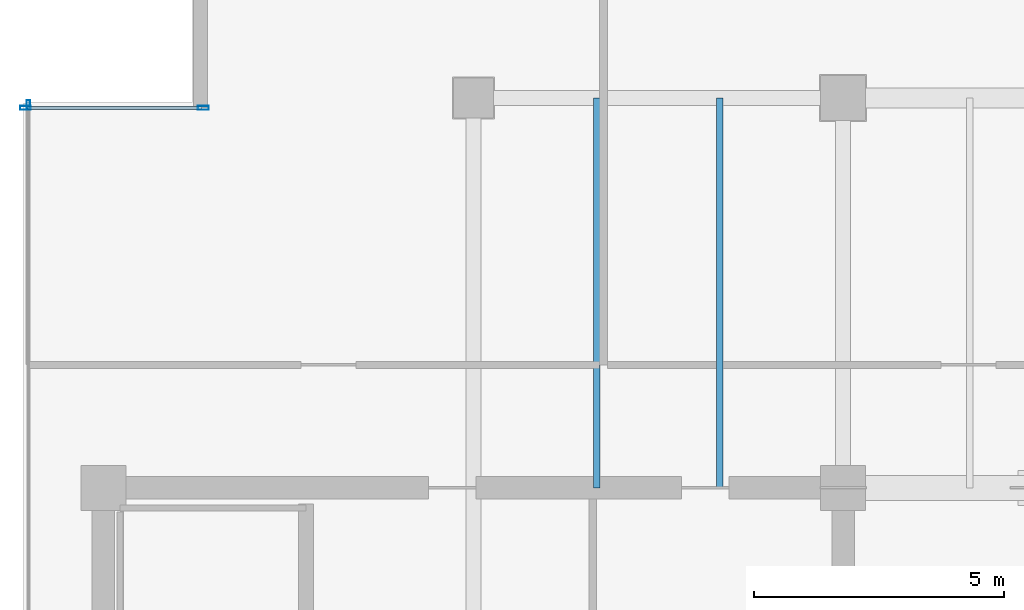
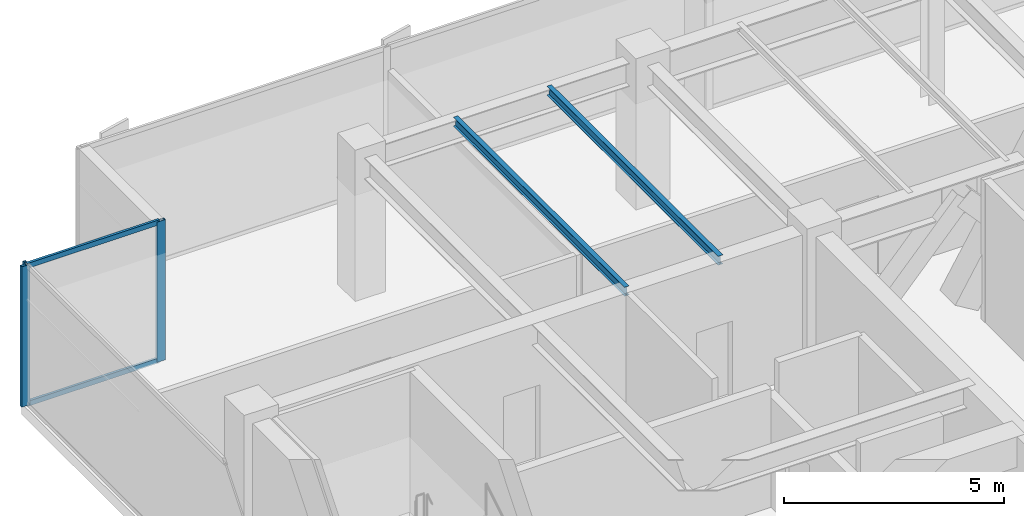
# One storey, part 18 of 32: 5 members, 2 beams, 2 elements without a shape of their own.
"""IFC4 building model written with IfcOpenShell, lengths in metres."""

from ifc_helpers import new_model, si_unit, direction, frame, origin, origin_2d, place, context, subcontext, project, spatial, hollow_rectangle, i_section, extrude, source, transform, mapped, material, layer, layer_set, material_profile, profile_set, type_object, type_shapes, element, aggregate, save


model = new_model("IFC4")

# Units and contexts
model_context = context("Model", 3, precision=1e-05, world=origin(), true_north=direction((0.0, 1.0)))
body_context = subcontext(model_context, "Body", "Model", "MODEL_VIEW")
ifc_project = project(units=[si_unit("LENGTHUNIT", "METRE"), si_unit("AREAUNIT", "SQUARE_METRE"), si_unit("VOLUMEUNIT", "CUBIC_METRE"), si_unit("PLANEANGLEUNIT", "RADIAN"), si_unit("MASSUNIT", "GRAM", prefix="KILO")], contexts=[model_context])

# Site, building, storey
site_placement = place(None, origin())
site = spatial("IfcSite", under=ifc_project, at=site_placement, CompositionType="ELEMENT")
building_placement = place(site_placement, origin())
building = spatial("IfcBuilding", under=site, at=building_placement, Name="Haelvirn Gate Laboratories", CompositionType="ELEMENT")
storey_placement = place(building_placement, frame((0.0, 0.0, 306.0)))
storey = spatial("IfcBuildingStorey", under=building, at=storey_placement, Name="L73", CompositionType="ELEMENT", Elevation=306.0)

# Beams
ifc_material_1 = material(Name="Steel SM355", Category="steel")
ifc_material_profile_1 = material_profile(ifc_material_1, i_section(OverallWidth=0.125, OverallDepth=0.25, WebThickness=0.006103515625, FlangeThickness=0.009033203125, at=origin_2d()), Name="H-250x125x6x9")
ifc_profile_set_1 = profile_set([ifc_material_profile_1], Name="Steel SM355")
beam_type = type_object("IfcBeamType", Name="BM-J-250", PredefinedType="JOIST", material=ifc_profile_set_1)
shared_shape_1 = source(origin(), body_context, "Body", "SweptSolid", [
    extrude(i_section(OverallWidth=0.125, OverallDepth=0.25, WebThickness=0.006103515625, FlangeThickness=0.009033203125, at=origin_2d()), origin(), (0.0, 0.0, 1.0), 7.800048828125),
])
type_shapes(beam_type, [shared_shape_1])
for number, where, z_axis, x_axis, name in (
    (1, (17.27001953125, 33.800048828125, 3.77490234375), (0.0, 1.0, 0.0), (-1.0, 0.0, 0.0), "L73 Composite Lab Joist North X17.27"),
    (2, (19.72998046875, 33.800048828125, 3.77490234375), (0.0, 1.0, 0.0), (-1.0, 0.0, 0.0), "L73 Composite Lab Joist North X19.73"),
):
    element("IfcBeam", number, at=place(storey_placement, frame(where, z_axis=z_axis, x_axis=x_axis)), inside=storey, type_object=beam_type, Name=name, PredefinedType="JOIST", context=body_context, shape_type="MappedRepresentation", body=[
        mapped(shared_shape_1, transform((0.0, 0.0, 0.0), scale=1.0)),
    ])

# Curtain wall, member
ifc_material_2 = material(Name="Anodised bronze unitised aluminium & triple low-E glass", Category="aluminium")
ifc_layer_1 = layer(ifc_material_2, 0.176025390625, Name="CW-SYS-4")
ifc_layer_set_1 = layer_set([ifc_layer_1], Name="Anodised bronze unitised aluminium & triple low-E glass")
curtain_wall_type_1 = type_object("IfcCurtainWallType", Name="CW-SYS-4", PredefinedType="NOTDEFINED", material=ifc_layer_set_1)
curtain_wall_1_placement = place(storey_placement, origin())
curtain_wall_1 = element("IfcCurtainWall", 3, at=curtain_wall_1_placement, inside=storey, type_object=curtain_wall_type_1, Name="L73 Unitised Curtain Wall CW-L73-P0-E17", PredefinedType="NOTDEFINED")
ifc_material_3 = material(Name="Extruded aluminium 6063-T6 (anodised bronze)", Category="aluminium")
ifc_material_profile_2 = material_profile(ifc_material_3, hollow_rectangle(XDim=0.070068359375, YDim=0.179931640625, WallThickness=0.0048828125, at=origin_2d()), Name="CWM-180x70x5")
ifc_profile_set_2 = profile_set([ifc_material_profile_2], Name="Extruded aluminium 6063-T6 (anodised bronze)")
member_type_1 = type_object("IfcMemberType", Name="CWM-T180", PredefinedType="MULLION", material=ifc_profile_set_2)
shared_shape_2 = source(origin(), body_context, "Body", "SweptSolid", [
    extrude(hollow_rectangle(XDim=0.070068359375, YDim=0.179931640625, WallThickness=0.0048828125, at=origin_2d()), origin(), (0.0, 0.0, 1.0), 3.89990234375),
])
type_shapes(member_type_1, [shared_shape_2])
member_1_placement = place(storey_placement, frame((5.89990234375, 41.465087890625, 0.0), z_axis=(0.0, 0.0, 1.0), x_axis=(1.0, 0.0, 0.0)))
member_1 = element("IfcMember", 4, at=member_1_placement, type_object=member_type_1, Name="CW4 mullion 1", PredefinedType="MULLION", context=body_context, shape_type="MappedRepresentation", body=[
    mapped(shared_shape_2, transform((0.0, 0.0, 0.0), scale=1.0)),
])
aggregate(curtain_wall_1, [member_1])

# Curtain wall, members
ifc_layer_2 = layer(ifc_material_2, 0.181884765625, Name="CW-SYS-5")
ifc_layer_set_2 = layer_set([ifc_layer_2], Name="Anodised bronze unitised aluminium & triple low-E glass")
curtain_wall_type_2 = type_object("IfcCurtainWallType", Name="CW-SYS-5", PredefinedType="NOTDEFINED", material=ifc_layer_set_2)
curtain_wall_2_placement = place(storey_placement, origin())
curtain_wall_2 = element("IfcCurtainWall", 5, at=curtain_wall_2_placement, inside=storey, type_object=curtain_wall_type_2, Name="L73 Unitised Curtain Wall CW-L73-P0-E16-1", PredefinedType="NOTDEFINED")
ifc_material_profile_3 = material_profile(ifc_material_3, hollow_rectangle(XDim=0.080078125, YDim=0.219970703125, WallThickness=0.006103515625, at=origin_2d()), Name="CWM-220x80x6")
ifc_profile_set_3 = profile_set([ifc_material_profile_3], Name="Extruded aluminium 6063-T6 (anodised bronze)")
member_type_2 = type_object("IfcMemberType", Name="CWM-T220", PredefinedType="MULLION", material=ifc_profile_set_3)
shared_shape_3 = source(origin(), body_context, "Body", "SweptSolid", [
    extrude(hollow_rectangle(XDim=0.080078125, YDim=0.219970703125, WallThickness=0.006103515625, at=origin_2d()), origin(), (0.0, 0.0, 1.0), 3.89990234375),
])
type_shapes(member_type_2, [shared_shape_3])
member_2_placement = place(storey_placement, frame((5.840087890625, 41.39990234375, 0.0), z_axis=(0.0, 0.0, 1.0), x_axis=(0.0, 1.0, 0.0)))
member_2 = element("IfcMember", 6, at=member_2_placement, type_object=member_type_2, Name="CW5 mullion 1", PredefinedType="MULLION", context=body_context, shape_type="MappedRepresentation", body=[
    mapped(shared_shape_3, transform((0.0, 0.0, 0.0), scale=1.0)),
])
member_3_placement = place(storey_placement, frame((9.39990234375, 41.39990234375, 0.0), z_axis=(0.0, 0.0, 1.0), x_axis=(0.0, 1.0, 0.0)))
member_3 = element("IfcMember", 7, at=member_3_placement, type_object=member_type_2, Name="CW5 mullion 2", PredefinedType="MULLION", context=body_context, shape_type="MappedRepresentation", body=[
    mapped(shared_shape_3, transform((0.0, 0.0, 0.0), scale=1.0)),
])
ifc_material_profile_4 = material_profile(ifc_material_3, hollow_rectangle(XDim=0.06494140625, YDim=0.139892578125, WallThickness=0.00390625, at=origin_2d()), Name="CWT-140x65x4")
ifc_profile_set_4 = profile_set([ifc_material_profile_4], Name="Extruded aluminium 6063-T6 (anodised bronze)")
member_type_3 = type_object("IfcMemberType", Name="CWT-T140", PredefinedType="USERDEFINED", material=ifc_profile_set_4)
shared_shape_4 = source(origin(), body_context, "Body", "SweptSolid", [
    extrude(hollow_rectangle(XDim=0.06494140625, YDim=0.139892578125, WallThickness=0.00390625, at=origin_2d()), origin(), (0.0, 0.0, 1.0), 3.480224609375),
])
type_shapes(member_type_3, [shared_shape_4])
member_4_placement = place(storey_placement, frame((5.8798828125, 41.39990234375, 0.032470703125), z_axis=(1.0, 0.0, 0.0), x_axis=(0.0, 1.0, 0.0)))
member_4 = element("IfcMember", 8, at=member_4_placement, type_object=member_type_3, Name="CW5 transom 1.1", ObjectType="TRANSOM", PredefinedType="USERDEFINED", context=body_context, shape_type="MappedRepresentation", body=[
    mapped(shared_shape_4, transform((0.0, 0.0, 0.0), scale=1.0)),
])
member_5_placement = place(storey_placement, frame((5.8798828125, 41.39990234375, 3.867431640625), z_axis=(1.0, 0.0, 0.0), x_axis=(0.0, 1.0, 0.0)))
member_5 = element("IfcMember", 9, at=member_5_placement, type_object=member_type_3, Name="CW5 transom 1.2", ObjectType="TRANSOM", PredefinedType="USERDEFINED", context=body_context, shape_type="MappedRepresentation", body=[
    mapped(shared_shape_4, transform((0.0, 0.0, 0.0), scale=1.0)),
])
aggregate(curtain_wall_2, [member_2, member_3, member_4, member_5])

save(model, "model.ifc")
